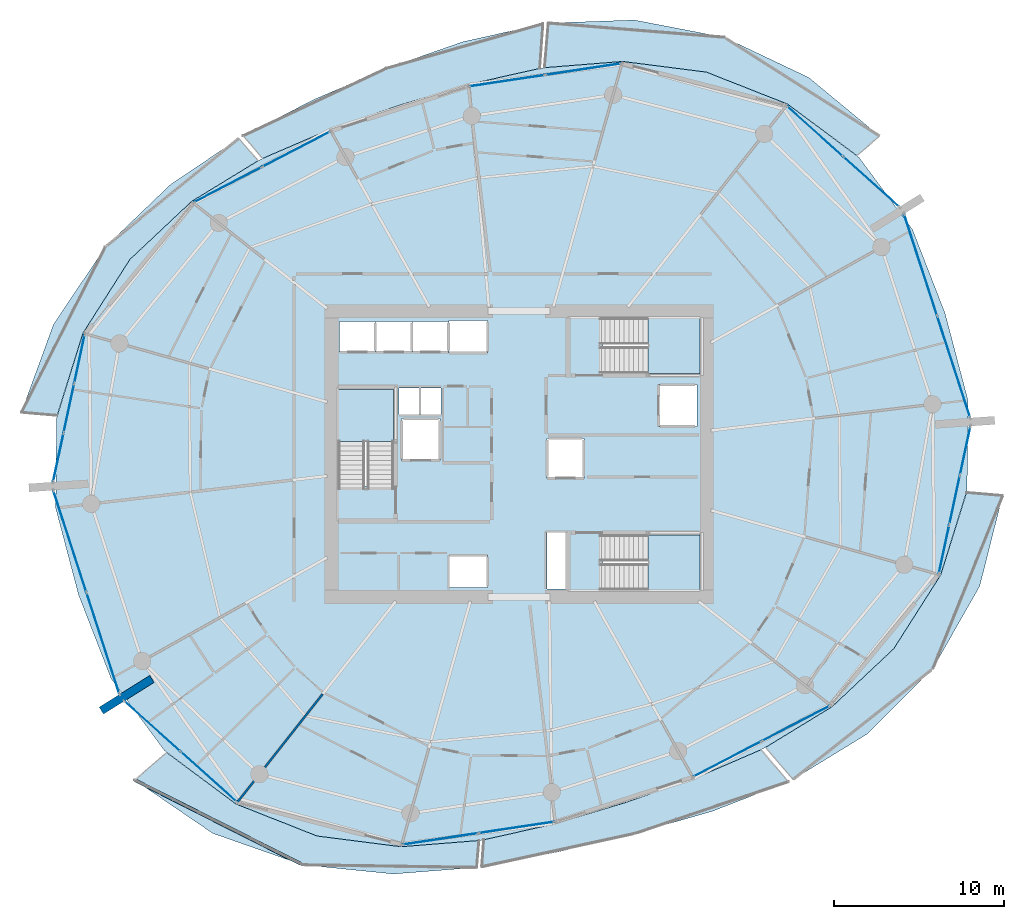
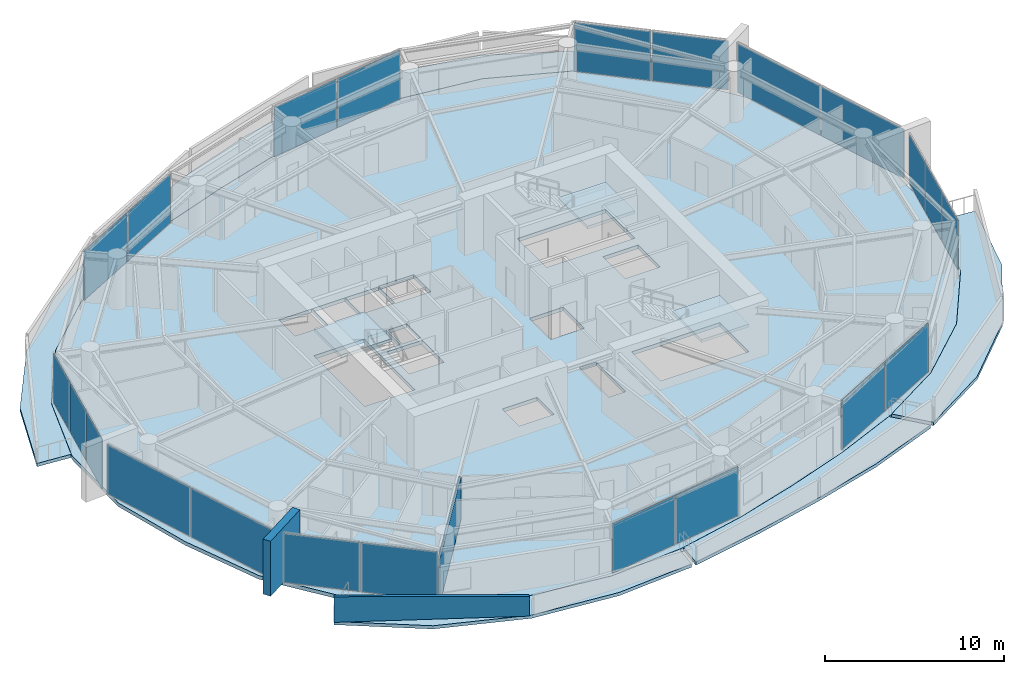
# One storey, part 10 of 20: 22 plates, 10 slabs, 3 walls, 13 elements without a shape of their own.
"""IFC4 building model written with IfcOpenShell, lengths in metres."""

from ifc_helpers import new_model, si_unit, direction, frame, frame_2d, origin, origin_2d, place, context, subcontext, project, spatial, polyline, rectangle, outline, extrude, material, layer, layer_set, type_object, element, aggregate, save


model = new_model("IFC4")

# Units and contexts
model_context = context("Model", 3, precision=1e-05, world=origin(), true_north=direction((0.0, 1.0)))
body_context = subcontext(model_context, "Body", "Model", "MODEL_VIEW")
ifc_project = project(units=[si_unit("LENGTHUNIT", "METRE"), si_unit("AREAUNIT", "SQUARE_METRE"), si_unit("VOLUMEUNIT", "CUBIC_METRE"), si_unit("PLANEANGLEUNIT", "RADIAN"), si_unit("MASSUNIT", "GRAM", prefix="KILO")], contexts=[model_context])

# Site, building, storey
site_placement = place(None, origin())
site = spatial("IfcSite", under=ifc_project, at=site_placement, CompositionType="ELEMENT")
building_placement = place(site_placement, origin())
building = spatial("IfcBuilding", under=site, at=building_placement, Name="Kazma Halo Residences", CompositionType="ELEMENT")
storey_placement = place(building_placement, frame((0.0, 0.0, 157.800048828125)))
storey = spatial("IfcBuildingStorey", under=building, at=storey_placement, Name="L39", CompositionType="ELEMENT", Elevation=157.800048828125)

# Curtain wall, plates
ifc_material_1 = material(Name="Aluminium AW-6063 T6 and Triple-Silver Low-E Glass", Category="aluminium")
ifc_layer_1 = layer(ifc_material_1, 0.219970703125)
ifc_layer_set_1 = layer_set([ifc_layer_1], Name="Aluminium AW-6063 T6 and Triple-Silver Low-E Glass")
curtain_wall_type = type_object("IfcCurtainWallType", Name="CW-SYS-4", PredefinedType="NOTDEFINED", material=ifc_layer_set_1)
curtain_wall_1_placement = place(storey_placement, origin())
curtain_wall_1 = element("IfcCurtainWall", 1, at=curtain_wall_1_placement, inside=storey, type_object=curtain_wall_type, Name="L39 unitised curtain wall B01", PredefinedType="NOTDEFINED")
ifc_material_2 = material(Name="Clear Triple-Silver Low-E Glass IGU", Category="glass")
ifc_layer_2 = layer(ifc_material_2, 0.033935546875)
ifc_layer_set_2 = layer_set([ifc_layer_2], Name="Clear Triple-Silver Low-E Glass IGU")
plate_type = type_object("IfcPlateType", Name="CW-SYS-4-PNL", PredefinedType="CURTAIN_PANEL", material=ifc_layer_set_2)
plate_1_placement = place(storey_placement, frame((69.126708984375, 58.008056640625, 0.074951171875), z_axis=(0.0, 0.0, 1.0), x_axis=(-0.744367582957, 0.667770096247, 0.0)))
plate_1 = element("IfcPlate", 2, at=plate_1_placement, type_object=plate_type, Name="CWS-4 panel 1.1", PredefinedType="CURTAIN_PANEL", context=body_context, shape_type="SweptSolid", body=[
    extrude(rectangle(XDim=4.36279296875, YDim=0.033935546875, at=origin_2d()), origin(), (0.0, 0.0, 1.0), 3.35009765625),
])
plate_2_placement = place(storey_placement, frame((65.823486328125, 60.971435546875, 0.074951171875), z_axis=(0.0, 0.0, 1.0), x_axis=(-0.744367582957, 0.667770096247, 0.0)))
plate_2 = element("IfcPlate", 3, at=plate_2_placement, type_object=plate_type, Name="CWS-4 panel 2.1", PredefinedType="CURTAIN_PANEL", context=body_context, shape_type="SweptSolid", body=[
    extrude(rectangle(XDim=4.36279296875, YDim=0.033935546875, at=origin_2d()), origin(), (0.0, 0.0, 1.0), 3.35009765625),
])
aggregate(curtain_wall_1, [plate_1, plate_2])

curtain_wall_2_placement = place(storey_placement, origin())
curtain_wall_2 = element("IfcCurtainWall", 4, at=curtain_wall_2_placement, inside=storey, type_object=curtain_wall_type, Name="L39 unitised curtain wall B03", PredefinedType="NOTDEFINED")
plate_3_placement = place(storey_placement, frame((52.200439453125, 64.625732421875, 0.074951171875), z_axis=(0.0, 0.0, 1.0), x_axis=(-0.988864148004, -0.148821022686, 0.0)))
plate_3 = element("IfcPlate", 5, at=plate_3_placement, type_object=plate_type, Name="CWS-4 panel 1.1", PredefinedType="CURTAIN_PANEL", context=body_context, shape_type="SweptSolid", body=[
    extrude(rectangle(XDim=4.4560546875, YDim=0.033935546875, at=origin_2d()), origin(), (0.0, 0.0, 1.0), 3.35009765625),
])
plate_4_placement = place(storey_placement, frame((47.7197265625, 63.951416015625, 0.074951171875), z_axis=(0.0, 0.0, 1.0), x_axis=(-0.988864148004, -0.148821022686, 0.0)))
plate_4 = element("IfcPlate", 6, at=plate_4_placement, type_object=plate_type, Name="CWS-4 panel 2.1", PredefinedType="CURTAIN_PANEL", context=body_context, shape_type="SweptSolid", body=[
    extrude(rectangle(XDim=4.4560546875, YDim=0.033935546875, at=origin_2d()), origin(), (0.0, 0.0, 1.0), 3.35009765625),
])
aggregate(curtain_wall_2, [plate_3, plate_4])

curtain_wall_3_placement = place(storey_placement, origin())
curtain_wall_3 = element("IfcCurtainWall", 7, at=curtain_wall_3_placement, inside=storey, type_object=curtain_wall_type, Name="L39 unitised curtain wall B05", PredefinedType="NOTDEFINED")
plate_5_placement = place(storey_placement, frame((35.323974609375, 59.923828125, 0.074951171875), z_axis=(0.0, 0.0, 1.0), x_axis=(-0.887484542306, -0.460837484552, 0.0)))
plate_5 = element("IfcPlate", 8, at=plate_5_placement, type_object=plate_type, Name="CWS-4 panel 1.1", PredefinedType="CURTAIN_PANEL", context=body_context, shape_type="SweptSolid", body=[
    extrude(rectangle(XDim=4.4560546875, YDim=0.033935546875, at=origin_2d()), origin(), (0.0, 0.0, 1.0), 3.35009765625),
])
plate_6_placement = place(storey_placement, frame((31.302734375, 57.835693359375, 0.074951171875), z_axis=(0.0, 0.0, 1.0), x_axis=(-0.887484542306, -0.460837484552, 0.0)))
plate_6 = element("IfcPlate", 9, at=plate_6_placement, type_object=plate_type, Name="CWS-4 panel 2.1", PredefinedType="CURTAIN_PANEL", context=body_context, shape_type="SweptSolid", body=[
    extrude(rectangle(XDim=4.4560546875, YDim=0.033935546875, at=origin_2d()), origin(), (0.0, 0.0, 1.0), 3.35009765625),
])
aggregate(curtain_wall_3, [plate_5, plate_6])

curtain_wall_4_placement = place(storey_placement, origin())
curtain_wall_4 = element("IfcCurtainWall", 10, at=curtain_wall_4_placement, inside=storey, type_object=curtain_wall_type, Name="L39 unitised curtain wall B07", PredefinedType="NOTDEFINED")
plate_7_placement = place(storey_placement, frame((22.5859375, 47.601318359375, 0.074951171875), z_axis=(0.0, 0.0, 1.0), x_axis=(-0.209703809037, -0.977764957684, 0.0)))
plate_7 = element("IfcPlate", 11, at=plate_7_placement, type_object=plate_type, Name="CWS-4 panel 1.1", PredefinedType="CURTAIN_PANEL", context=body_context, shape_type="SweptSolid", body=[
    extrude(rectangle(XDim=2.87109375, YDim=0.033935546875, at=origin_2d()), origin(), (0.0, 0.0, 1.0), 3.35009765625),
])
plate_8_placement = place(storey_placement, frame((21.964111328125, 44.702392578125, 0.074951171875), z_axis=(0.0, 0.0, 1.0), x_axis=(-0.209703809037, -0.977764957684, 0.0)))
plate_8 = element("IfcPlate", 12, at=plate_8_placement, type_object=plate_type, Name="CWS-4 panel 2.1", PredefinedType="CURTAIN_PANEL", context=body_context, shape_type="SweptSolid", body=[
    extrude(rectangle(XDim=2.90869140625, YDim=0.033935546875, at=origin_2d()), origin(), (0.0, 0.0, 1.0), 3.35009765625),
])
plate_9_placement = place(storey_placement, frame((21.34228515625, 41.803466796875, 0.074951171875), z_axis=(0.0, 0.0, 1.0), x_axis=(-0.209703809037, -0.977764957684, 0.0)))
plate_9 = element("IfcPlate", 13, at=plate_9_placement, type_object=plate_type, Name="CWS-4 panel 3.1", PredefinedType="CURTAIN_PANEL", context=body_context, shape_type="SweptSolid", body=[
    extrude(rectangle(XDim=2.87109375, YDim=0.033935546875, at=origin_2d()), origin(), (0.0, 0.0, 1.0), 3.35009765625),
])
aggregate(curtain_wall_4, [plate_7, plate_8, plate_9])

curtain_wall_5_placement = place(storey_placement, origin())
curtain_wall_5 = element("IfcCurtainWall", 14, at=curtain_wall_5_placement, inside=storey, type_object=curtain_wall_type, Name="L39 unitised curtain wall B08", PredefinedType="NOTDEFINED")
plate_10_placement = place(storey_placement, frame((22.017578125, 36.869873046875, 0.074951171875), z_axis=(0.0, 0.0, 1.0), x_axis=(0.3090138203, -0.951057547609, 0.0)))
plate_10 = element("IfcPlate", 15, at=plate_10_placement, type_object=plate_type, Name="CWS-4 panel 1.1", PredefinedType="CURTAIN_PANEL", context=body_context, shape_type="SweptSolid", body=[
    extrude(rectangle(XDim=6.224853515625, YDim=0.033935546875, at=origin_2d()), origin(), (0.0, 0.0, 1.0), 3.35009765625),
])
plate_11_placement = place(storey_placement, frame((23.96435546875, 30.878173828125, 0.074951171875), z_axis=(0.0, 0.0, 1.0), x_axis=(0.3090138203, -0.951057547609, 0.0)))
plate_11 = element("IfcPlate", 16, at=plate_11_placement, type_object=plate_type, Name="CWS-4 panel 2.1", PredefinedType="CURTAIN_PANEL", context=body_context, shape_type="SweptSolid", body=[
    extrude(rectangle(XDim=6.224853515625, YDim=0.033935546875, at=origin_2d()), origin(), (0.0, 0.0, 1.0), 3.35009765625),
])
aggregate(curtain_wall_5, [plate_10, plate_11])

curtain_wall_6_placement = place(storey_placement, origin())
curtain_wall_6 = element("IfcCurtainWall", 17, at=curtain_wall_6_placement, inside=storey, type_object=curtain_wall_type, Name="L39 unitised curtain wall B09", PredefinedType="NOTDEFINED")
plate_12_placement = place(storey_placement, frame((26.873291015625, 25.991943359375, 0.074951171875), z_axis=(0.0, 0.0, 1.0), x_axis=(0.744367582957, -0.667770096247, 0.0)))
plate_12 = element("IfcPlate", 18, at=plate_12_placement, type_object=plate_type, Name="CWS-4 panel 1.1", PredefinedType="CURTAIN_PANEL", context=body_context, shape_type="SweptSolid", body=[
    extrude(rectangle(XDim=4.36279296875, YDim=0.033935546875, at=origin_2d()), origin(), (0.0, 0.0, 1.0), 3.35009765625),
])
plate_13_placement = place(storey_placement, frame((30.176513671875, 23.028564453125, 0.074951171875), z_axis=(0.0, 0.0, 1.0), x_axis=(0.744367582957, -0.667770096247, 0.0)))
plate_13 = element("IfcPlate", 19, at=plate_13_placement, type_object=plate_type, Name="CWS-4 panel 2.1", PredefinedType="CURTAIN_PANEL", context=body_context, shape_type="SweptSolid", body=[
    extrude(rectangle(XDim=4.36279296875, YDim=0.033935546875, at=origin_2d()), origin(), (0.0, 0.0, 1.0), 3.35009765625),
])
aggregate(curtain_wall_6, [plate_12, plate_13])

curtain_wall_7_placement = place(storey_placement, origin())
curtain_wall_7 = element("IfcCurtainWall", 20, at=curtain_wall_7_placement, inside=storey, type_object=curtain_wall_type, Name="L39 unitised curtain wall B11", PredefinedType="NOTDEFINED")
plate_14_placement = place(storey_placement, frame((43.799560546875, 19.374267578125, 0.074951171875), z_axis=(0.0, 0.0, 1.0), x_axis=(0.988864148004, 0.148821022686, 0.0)))
plate_14 = element("IfcPlate", 21, at=plate_14_placement, type_object=plate_type, Name="CWS-4 panel 1.1", PredefinedType="CURTAIN_PANEL", context=body_context, shape_type="SweptSolid", body=[
    extrude(rectangle(XDim=4.4560546875, YDim=0.033935546875, at=origin_2d()), origin(), (0.0, 0.0, 1.0), 3.35009765625),
])
plate_15_placement = place(storey_placement, frame((48.2802734375, 20.048583984375, 0.074951171875), z_axis=(0.0, 0.0, 1.0), x_axis=(0.988864148004, 0.148821022686, 0.0)))
plate_15 = element("IfcPlate", 22, at=plate_15_placement, type_object=plate_type, Name="CWS-4 panel 2.1", PredefinedType="CURTAIN_PANEL", context=body_context, shape_type="SweptSolid", body=[
    extrude(rectangle(XDim=4.4560546875, YDim=0.033935546875, at=origin_2d()), origin(), (0.0, 0.0, 1.0), 3.35009765625),
])
aggregate(curtain_wall_7, [plate_14, plate_15])

curtain_wall_8_placement = place(storey_placement, origin())
curtain_wall_8 = element("IfcCurtainWall", 23, at=curtain_wall_8_placement, inside=storey, type_object=curtain_wall_type, Name="L39 unitised curtain wall B13", PredefinedType="NOTDEFINED")
plate_16_placement = place(storey_placement, frame((60.676025390625, 24.076171875, 0.074951171875), z_axis=(0.0, 0.0, 1.0), x_axis=(0.887484542306, 0.460837484552, 0.0)))
plate_16 = element("IfcPlate", 24, at=plate_16_placement, type_object=plate_type, Name="CWS-4 panel 1.1", PredefinedType="CURTAIN_PANEL", context=body_context, shape_type="SweptSolid", body=[
    extrude(rectangle(XDim=4.4560546875, YDim=0.033935546875, at=origin_2d()), origin(), (0.0, 0.0, 1.0), 3.35009765625),
])
plate_17_placement = place(storey_placement, frame((64.697265625, 26.164306640625, 0.074951171875), z_axis=(0.0, 0.0, 1.0), x_axis=(0.887484542306, 0.460837484552, 0.0)))
plate_17 = element("IfcPlate", 25, at=plate_17_placement, type_object=plate_type, Name="CWS-4 panel 2.1", PredefinedType="CURTAIN_PANEL", context=body_context, shape_type="SweptSolid", body=[
    extrude(rectangle(XDim=4.4560546875, YDim=0.033935546875, at=origin_2d()), origin(), (0.0, 0.0, 1.0), 3.35009765625),
])
aggregate(curtain_wall_8, [plate_16, plate_17])

curtain_wall_9_placement = place(storey_placement, origin())
curtain_wall_9 = element("IfcCurtainWall", 26, at=curtain_wall_9_placement, inside=storey, type_object=curtain_wall_type, Name="L39 unitised curtain wall B15", PredefinedType="NOTDEFINED")
plate_18_placement = place(storey_placement, frame((73.4140625, 36.398681640625, 0.074951171875), z_axis=(0.0, 0.0, 1.0), x_axis=(0.209703809037, 0.977764957684, 0.0)))
plate_18 = element("IfcPlate", 27, at=plate_18_placement, type_object=plate_type, Name="CWS-4 panel 1.1", PredefinedType="CURTAIN_PANEL", context=body_context, shape_type="SweptSolid", body=[
    extrude(rectangle(XDim=2.87109375, YDim=0.033935546875, at=origin_2d()), origin(), (0.0, 0.0, 1.0), 3.35009765625),
])
plate_19_placement = place(storey_placement, frame((74.035888671875, 39.297607421875, 0.074951171875), z_axis=(0.0, 0.0, 1.0), x_axis=(0.209703809037, 0.977764957684, 0.0)))
plate_19 = element("IfcPlate", 28, at=plate_19_placement, type_object=plate_type, Name="CWS-4 panel 2.1", PredefinedType="CURTAIN_PANEL", context=body_context, shape_type="SweptSolid", body=[
    extrude(rectangle(XDim=2.90869140625, YDim=0.033935546875, at=origin_2d()), origin(), (0.0, 0.0, 1.0), 3.35009765625),
])
plate_20_placement = place(storey_placement, frame((74.65771484375, 42.196533203125, 0.074951171875), z_axis=(0.0, 0.0, 1.0), x_axis=(0.209703809037, 0.977764957684, 0.0)))
plate_20 = element("IfcPlate", 29, at=plate_20_placement, type_object=plate_type, Name="CWS-4 panel 3.1", PredefinedType="CURTAIN_PANEL", context=body_context, shape_type="SweptSolid", body=[
    extrude(rectangle(XDim=2.87109375, YDim=0.033935546875, at=origin_2d()), origin(), (0.0, 0.0, 1.0), 3.35009765625),
])
aggregate(curtain_wall_9, [plate_18, plate_19, plate_20])

curtain_wall_10_placement = place(storey_placement, origin())
curtain_wall_10 = element("IfcCurtainWall", 30, at=curtain_wall_10_placement, inside=storey, type_object=curtain_wall_type, Name="L39 unitised curtain wall B16", PredefinedType="NOTDEFINED")
plate_21_placement = place(storey_placement, frame((73.982421875, 47.130126953125, 0.074951171875), z_axis=(0.0, 0.0, 1.0), x_axis=(-0.3090138203, 0.951057547609, 0.0)))
plate_21 = element("IfcPlate", 31, at=plate_21_placement, type_object=plate_type, Name="CWS-4 panel 1.1", PredefinedType="CURTAIN_PANEL", context=body_context, shape_type="SweptSolid", body=[
    extrude(rectangle(XDim=6.224853515625, YDim=0.033935546875, at=origin_2d()), origin(), (0.0, 0.0, 1.0), 3.35009765625),
])
plate_22_placement = place(storey_placement, frame((72.03564453125, 53.121826171875, 0.074951171875), z_axis=(0.0, 0.0, 1.0), x_axis=(-0.3090138203, 0.951057547609, 0.0)))
plate_22 = element("IfcPlate", 32, at=plate_22_placement, type_object=plate_type, Name="CWS-4 panel 2.1", PredefinedType="CURTAIN_PANEL", context=body_context, shape_type="SweptSolid", body=[
    extrude(rectangle(XDim=6.224853515625, YDim=0.033935546875, at=origin_2d()), origin(), (0.0, 0.0, 1.0), 3.35009765625),
])
aggregate(curtain_wall_10, [plate_21, plate_22])

# Slabs
ifc_material_3 = material(Name="White Concrete C50/60", Category="concrete")
ifc_layer_3 = layer(ifc_material_3, 0.219970703125)
ifc_layer_set_3 = layer_set([ifc_layer_3], Name="White Concrete C50/60")
slab_type_1 = type_object("IfcSlabType", Name="SLB-BAL-WAVE-210", PredefinedType="FLOOR", material=ifc_layer_set_3)
slab_1_placement = place(storey_placement, frame((0.0, 0.0, -0.219970703125)))
element("IfcSlab", 33, at=slab_1_placement, inside=storey, type_object=slab_type_1, Name="L39 NE cantilevered wave balcony slab", PredefinedType="FLOOR", context=body_context, shape_type="SweptSolid", body=[
    extrude(outline(polyline([(68.294677734375, 59.548583984375), (64.21923828125, 62.573974609375), (59.442626953125, 64.45751953125), (54.510986328125, 65.0859375), (49.927978515625, 64.720458984375), (50.150146484375, 67.33984375), (55.19775390625, 67.521240234375), (60.4853515625, 66.50390625), (65.455322265625, 64.14208984375), (69.623779296875, 60.697998046875), (68.294677734375, 59.548583984375)])), origin(), (0.0, 0.0, 1.0), 0.219970703125),
])
slab_2_placement = place(storey_placement, frame((0.0, 0.0, -0.219970703125)))
element("IfcSlab", 34, at=slab_2_placement, inside=storey, type_object=slab_type_1, Name="L39 NNW cantilevered wave balcony slab", PredefinedType="FLOOR", context=body_context, shape_type="SweptSolid", body=[
    extrude(outline(polyline([(49.6455078125, 64.67822265625), (45.427978515625, 63.72998046875), (41.3408203125, 62.494873046875), (37.30810546875, 61.091552734375), (33.3388671875, 59.3798828125), (32.214599609375, 60.712646484375), (36.332763671875, 62.83349609375), (40.631103515625, 64.679443359375), (45.130615234375, 66.24267578125), (49.83544921875, 67.295654296875), (49.6455078125, 64.67822265625)])), origin(), (0.0, 0.0, 1.0), 0.219970703125),
])
slab_3_placement = place(storey_placement, frame((0.0, 0.0, -0.219970703125)))
element("IfcSlab", 35, at=slab_3_placement, inside=storey, type_object=slab_type_1, Name="L39 NW cantilevered wave balcony slab", PredefinedType="FLOOR", context=body_context, shape_type="SweptSolid", body=[
    extrude(outline(polyline([(33.08544921875, 59.248046875), (29.1630859375, 56.849853515625), (25.54248046875, 53.442626953125), (22.78515625, 49.111328125), (21.2666015625, 44.268310546875), (19.165283203125, 44.44677734375), (21.0439453125, 49.602294921875), (24.101318359375, 54.177001953125), (27.916015625, 57.8330078125), (31.951171875, 60.56005859375), (33.08544921875, 59.248046875)])), origin(), (0.0, 0.0, 1.0), 0.219970703125),
])
slab_4_placement = place(storey_placement, frame((0.0, 0.0, -0.219970703125)))
element("IfcSlab", 36, at=slab_4_placement, inside=storey, type_object=slab_type_1, Name="L39 SW cantilevered wave balcony slab", PredefinedType="FLOOR", context=body_context, shape_type="SweptSolid", body=[
    extrude(outline(polyline([(27.705322265625, 24.451416015625), (31.78076171875, 21.426025390625), (36.557373046875, 19.54248046875), (41.489013671875, 18.9140625), (46.072021484375, 19.279541015625), (45.937744140625, 17.6962890625), (41.037109375, 17.31103515625), (35.6953125, 17.8505859375), (30.419189453125, 19.69873046875), (25.830078125, 22.829833984375), (27.705322265625, 24.451416015625)])), origin(), (0.0, 0.0, 1.0), 0.219970703125),
])
slab_5_placement = place(storey_placement, frame((0.0, 0.0, -0.219970703125)))
element("IfcSlab", 37, at=slab_5_placement, inside=storey, type_object=slab_type_1, Name="L39 SSE cantilevered wave balcony slab", PredefinedType="FLOOR", context=body_context, shape_type="SweptSolid", body=[
    extrude(outline(polyline([(46.3544921875, 19.32177734375), (50.572021484375, 20.27001953125), (54.6591796875, 21.505126953125), (58.69189453125, 22.908447265625), (62.6611328125, 24.6201171875), (64.250732421875, 22.735595703125), (59.7666015625, 20.989501953125), (55.24609375, 19.69921875), (50.767578125, 18.6162109375), (46.23974609375, 17.741455078125), (46.3544921875, 19.32177734375)])), origin(), (0.0, 0.0, 1.0), 0.219970703125),
])
slab_6_placement = place(storey_placement, frame((0.0, 0.0, -0.219970703125)))
element("IfcSlab", 38, at=slab_6_placement, inside=storey, type_object=slab_type_1, Name="L39 SE cantilevered wave balcony slab", PredefinedType="FLOOR", context=body_context, shape_type="SweptSolid", body=[
    extrude(outline(polyline([(62.91455078125, 24.751953125), (66.8369140625, 27.150146484375), (70.45751953125, 30.557373046875), (73.21484375, 34.888671875), (74.7333984375, 39.731689453125), (76.853515625, 39.5517578125), (75.51220703125, 34.24072265625), (72.7548828125, 29.38671875), (68.885009765625, 25.535400390625), (64.53857421875, 22.87353515625), (62.91455078125, 24.751953125)])), origin(), (0.0, 0.0, 1.0), 0.219970703125),
])
ifc_material_4 = material(Name="Concrete C50/60", Category="concrete")
ifc_layer_4 = layer(ifc_material_4, 0.25)
ifc_layer_set_4 = layer_set([ifc_layer_4], Name="Concrete C50/60")
slab_type_2 = type_object("IfcSlabType", Name="SLB-RES-250", PredefinedType="FLOOR", material=ifc_layer_set_4)
slab_7_placement = place(storey_placement, frame((0.0, 0.0, -0.25)))
element("IfcSlab", 39, at=slab_7_placement, inside=storey, type_object=slab_type_2, Name="L39 structural floor slab", PredefinedType="FLOOR", context=body_context, shape_type="SweptSolid", body=[
    extrude(outline(polyline([(73.47265625, 50.276611328125), (71.56201171875, 55.1953125), (68.41796875, 59.438720703125), (64.218017578125, 62.572509765625), (59.441650390625, 64.45556640625), (54.510498046875, 65.083984375), (49.787109375, 64.706298828125), (45.42822265625, 63.727783203125), (41.341552734375, 62.492919921875), (37.30908203125, 61.08984375), (33.2080078125, 59.3193359375), (29.16455078125, 56.8486328125), (25.54443359375, 53.441650390625), (22.787109375, 49.110595703125), (21.2314453125, 44.106689453125), (21.181884765625, 38.825927734375), (22.52734375, 33.723388671875), (24.43798828125, 28.8046875), (27.58203125, 24.561279296875), (31.781982421875, 21.427490234375), (36.558349609375, 19.54443359375), (41.489501953125, 18.916015625), (46.212890625, 19.293701171875), (50.57177734375, 20.272216796875), (54.658447265625, 21.507080078125), (58.69091796875, 22.91015625), (62.7919921875, 24.6806640625), (66.83544921875, 27.1513671875), (70.45556640625, 30.558349609375), (73.212890625, 34.889404296875), (74.7685546875, 39.893310546875), (74.818115234375, 45.174072265625), (73.47265625, 50.276611328125)]), holes=[polyline([(37.800048828125, 40.110107421875), (41.050048828125, 40.110107421875), (41.050048828125, 45.800048828125), (37.800048828125, 45.800048828125), (37.800048828125, 40.110107421875)]), polyline([(53.360107421875, 46.75), (59.050048828125, 46.75), (59.050048828125, 50.0), (53.360107421875, 50.0), (53.360107421875, 46.75)]), polyline([(53.360107421875, 34.0), (59.050048828125, 34.0), (59.050048828125, 37.25), (53.360107421875, 37.25), (53.360107421875, 34.0)]), polyline([(41.52001953125, 41.6201171875), (43.780029296875, 41.6201171875), (43.780029296875, 44.080078125), (41.52001953125, 44.080078125), (41.52001953125, 41.6201171875)]), polyline([(56.6201171875, 43.6201171875), (58.8798828125, 43.6201171875), (58.8798828125, 46.080078125), (56.6201171875, 46.080078125), (56.6201171875, 43.6201171875)]), polyline([(37.864990234375, 47.9951171875), (39.97509765625, 47.9951171875), (39.97509765625, 49.804931640625), (37.864990234375, 49.804931640625), (37.864990234375, 47.9951171875)]), polyline([(40.014892578125, 47.9951171875), (42.125, 47.9951171875), (42.125, 49.804931640625), (40.014892578125, 49.804931640625), (40.014892578125, 47.9951171875)]), polyline([(42.1650390625, 47.9951171875), (44.27490234375, 47.9951171875), (44.27490234375, 49.804931640625), (42.1650390625, 49.804931640625), (42.1650390625, 47.9951171875)]), polyline([(44.320068359375, 47.945068359375), (46.580078125, 47.945068359375), (46.580078125, 49.85498046875), (44.320068359375, 49.85498046875), (44.320068359375, 47.945068359375)]), polyline([(44.320068359375, 34.14501953125), (46.580078125, 34.14501953125), (46.580078125, 36.054931640625), (44.320068359375, 36.054931640625), (44.320068359375, 34.14501953125)]), polyline([(50.070068359375, 40.570068359375), (52.22998046875, 40.570068359375), (52.22998046875, 42.929931640625), (50.070068359375, 42.929931640625), (50.070068359375, 40.570068359375)]), polyline([(41.360107421875, 44.340087890625), (42.5400390625, 44.340087890625), (42.5400390625, 45.89990234375), (41.360107421875, 45.89990234375), (41.360107421875, 44.340087890625)]), polyline([(42.659912109375, 44.340087890625), (43.840087890625, 44.340087890625), (43.840087890625, 45.89990234375), (42.659912109375, 45.89990234375), (42.659912109375, 44.340087890625)]), polyline([(50.06005859375, 34.080078125), (51.159912109375, 34.080078125), (51.159912109375, 37.3798828125), (50.06005859375, 37.3798828125), (50.06005859375, 34.080078125)])]), origin(), (0.0, 0.0, 1.0), 0.25),
])

# Stair, slab
stair_type = type_object("IfcStairType", Name="STR-RES1", PredefinedType="HALF_TURN_STAIR", material=ifc_material_4)
stair_1_placement = place(storey_placement, origin())
stair_1 = element("IfcStair", 40, at=stair_1_placement, inside=storey, type_object=stair_type, Name="L39 Core exit stair ST-01", PredefinedType="HALF_TURN_STAIR")
ifc_layer_5 = layer(ifc_material_4, 0.199951171875)
ifc_layer_set_5 = layer_set([ifc_layer_5], Name="Concrete C50/60")
slab_type_3 = type_object("IfcSlabType", Name="SLB-STAIR-LND-200", PredefinedType="LANDING", material=ifc_layer_set_5)
slab_8_placement = place(storey_placement, frame((0.0, 0.0, 1.675048828125)))
slab_8 = element("IfcSlab", 41, at=slab_8_placement, type_object=slab_type_3, Name="ST-01 landing 1", PredefinedType="LANDING", context=body_context, shape_type="SweptSolid", body=[
    extrude(outline(polyline([(41.050048828125, 42.75), (41.050048828125, 45.800048828125), (37.800048828125, 45.800048828125), (37.800048828125, 42.75), (41.050048828125, 42.75)])), origin(), (0.0, 0.0, 1.0), 0.199951171875),
])
aggregate(stair_1, [slab_8])

stair_2_placement = place(storey_placement, origin())
stair_2 = element("IfcStair", 42, at=stair_2_placement, inside=storey, type_object=stair_type, Name="L39 Core exit stair ST-02", PredefinedType="HALF_TURN_STAIR")
slab_9_placement = place(storey_placement, frame((0.0, 0.0, 1.675048828125)))
slab_9 = element("IfcSlab", 43, at=slab_9_placement, type_object=slab_type_3, Name="ST-02 landing 1", PredefinedType="LANDING", context=body_context, shape_type="SweptSolid", body=[
    extrude(outline(polyline([(56.0, 46.75), (59.050048828125, 46.75), (59.050048828125, 50.0), (56.0, 50.0), (56.0, 46.75)])), origin(), (0.0, 0.0, 1.0), 0.199951171875),
])
aggregate(stair_2, [slab_9])

stair_3_placement = place(storey_placement, origin())
stair_3 = element("IfcStair", 44, at=stair_3_placement, inside=storey, type_object=stair_type, Name="L39 Core exit stair ST-03", PredefinedType="HALF_TURN_STAIR")
slab_10_placement = place(storey_placement, frame((0.0, 0.0, 1.675048828125)))
slab_10 = element("IfcSlab", 45, at=slab_10_placement, type_object=slab_type_3, Name="ST-03 landing 1", PredefinedType="LANDING", context=body_context, shape_type="SweptSolid", body=[
    extrude(outline(polyline([(56.0, 34.0), (59.050048828125, 34.0), (59.050048828125, 37.25), (56.0, 37.25), (56.0, 34.0)])), origin(), (0.0, 0.0, 1.0), 0.199951171875),
])
aggregate(stair_3, [slab_10])

# Walls
ifc_material_5 = material(Name="White Concrete C50/60 Balustrade", Category="concrete")
ifc_layer_6 = layer(ifc_material_5, 0.179931640625)
ifc_layer_set_6 = layer_set([ifc_layer_6], Name="White Concrete C50/60 Balustrade")
wall_type_1 = type_object("IfcWallType", Name="WL-BAL-WAVE-180", PredefinedType="PARAPET", material=ifc_layer_set_6)
wall_1_placement = place(storey_placement, frame((25.830078125, 22.829833984375, 0.0), z_axis=(0.0, 0.0, 1.0), x_axis=(0.892736735019, -0.450578652344, 0.0)))
element("IfcWall", 46, at=wall_1_placement, inside=storey, type_object=wall_type_1, Name="L39 white wave balustrade wall SW.1", PredefinedType="PARAPET", context=body_context, shape_type="SweptSolid", body=[
    extrude(outline(polyline([(0.0, 0.0), (10.930419921875, 0.0), (10.930419921875, 1.347900390625), (5.46533203125, 1.56201171875), (0.0, 1.7470703125), (0.0, 0.0)])), frame((0.0, 0.08984375, 0.0), z_axis=(0.0, -1.0, 0.0), x_axis=(1.0, 0.0, 0.0)), (0.0, 0.0, 1.0), 0.179931640625),
])
ifc_material_6 = material(Name="Pale Concrete C60/75", Category="concrete")
ifc_layer_7 = layer(ifc_material_6, 0.47998046875)
ifc_layer_set_7 = layer_set([ifc_layer_7], Name="Pale Concrete C60/75")
wall_type_2 = type_object("IfcWallType", Name="WL-BLADE-480", PredefinedType="SOLIDWALL", material=ifc_layer_set_7)
wall_2_placement = place(storey_placement, frame((26.834716796875, 28.7744140625, 0.0), z_axis=(0.0, 0.0, 1.0), x_axis=(-0.848053161125, -0.529911158502, 0.0)))
element("IfcWall", 47, at=wall_2_placement, inside=storey, type_object=wall_type_2, Name="L39 pale concrete structural blade fin wall BW-03", PredefinedType="SOLIDWALL", context=body_context, shape_type="SweptSolid", body=[
    extrude(rectangle(XDim=3.5, YDim=0.47998046875, at=frame_2d((1.75, 0.0))), origin(), (0.0, 0.0, 1.0), 3.75),
])
ifc_material_7 = material(Name="Gypsum Plasterboard Partition")
ifc_layer_8 = layer(ifc_material_7, 0.125)
ifc_layer_set_8 = layer_set([ifc_layer_8], Name="Gypsum Plasterboard Partition")
wall_type_3 = type_object("IfcWallType", Name="WL-PART-125", PredefinedType="PARTITIONING", material=ifc_layer_set_8)
wall_3_placement = place(storey_placement, frame((36.875, 27.887939453125, 0.0), z_axis=(0.0, 0.0, 1.0), x_axis=(-0.61910151414, -0.78531096719, 0.0)))
element("IfcWall", 48, at=wall_3_placement, inside=storey, type_object=wall_type_3, Name="L39 Apartment 2 radial partition 9", PredefinedType="PARTITIONING", context=body_context, shape_type="SweptSolid", body=[
    extrude(rectangle(XDim=8.081787109375, YDim=0.125, at=frame_2d((4.041015625, 0.0))), origin(), (0.0, 0.0, 1.0), 2.93994140625),
])

save(model, "model.ifc")
